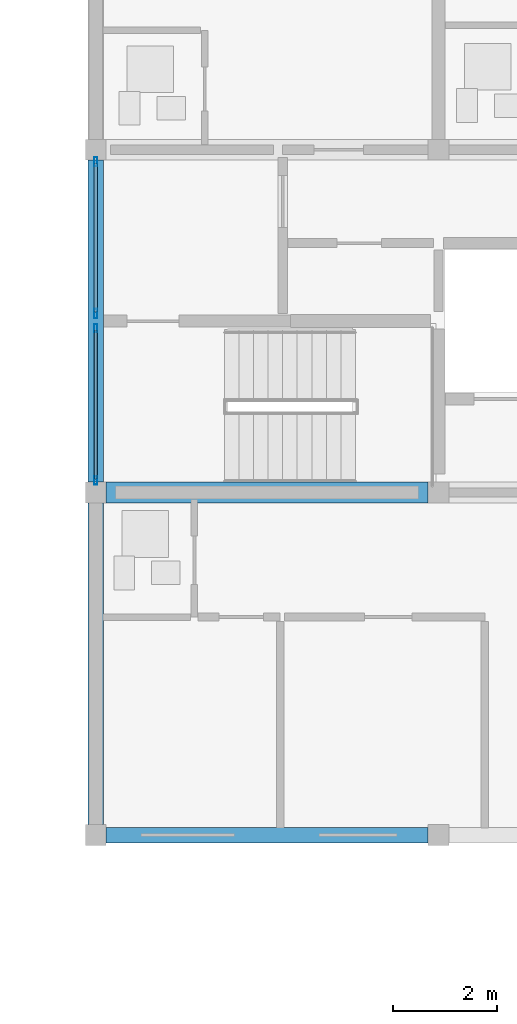
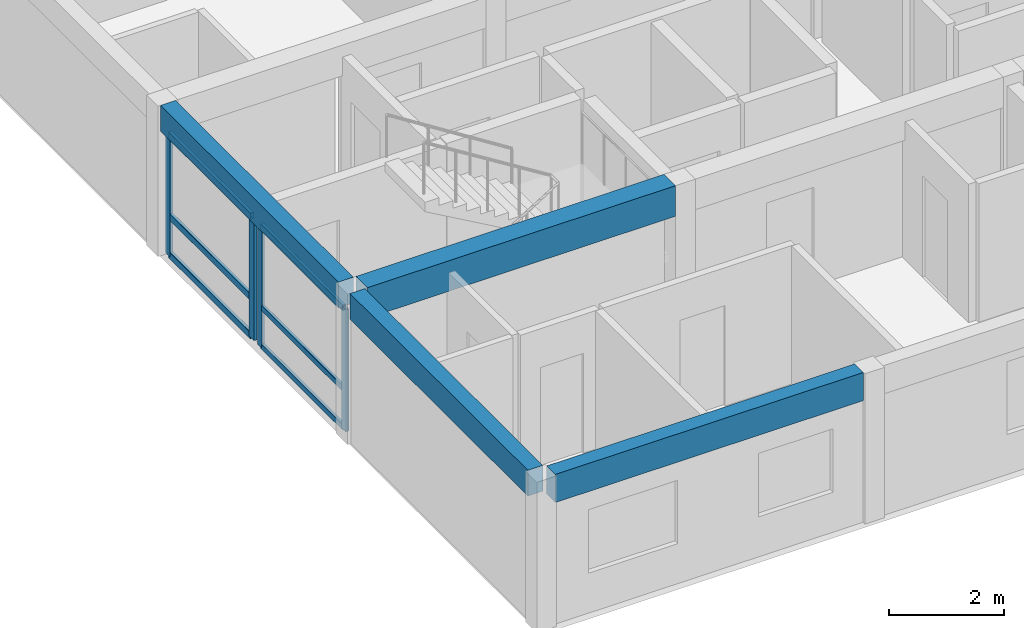
# One storey, part 13 of 34: 10 members, 4 beams, 2 elements without a shape of their own.
"""IFC4 building model written with IfcOpenShell, lengths in metres."""

from ifc_helpers import new_model, si_unit, direction, frame, origin, origin_2d, place, context, subcontext, project, spatial, rectangle, hollow_rectangle, extrude, material, material_profile, profile_set, type_object, element, aggregate, save


model = new_model("IFC4")

# Units and contexts
model_context = context("Model", 3, precision=1e-05, world=origin(), true_north=direction((0.0, 1.0)))
body_context = subcontext(model_context, "Body", "Model", "MODEL_VIEW")
ifc_project = project(units=[si_unit("LENGTHUNIT", "METRE"), si_unit("AREAUNIT", "SQUARE_METRE"), si_unit("VOLUMEUNIT", "CUBIC_METRE"), si_unit("PLANEANGLEUNIT", "RADIAN"), si_unit("MASSUNIT", "GRAM", prefix="KILO")], contexts=[model_context])

# Site, building, storey
site_placement = place(None, origin())
site = spatial("IfcSite", under=ifc_project, at=site_placement, CompositionType="ELEMENT")
building_placement = place(site_placement, origin())
building = spatial("IfcBuilding", under=site, at=building_placement, Name="Kernevlak Ridge Housing Community", CompositionType="ELEMENT")
storey_placement = place(building_placement, frame((0.0, 0.0, 40.39990234375)))
storey = spatial("IfcBuildingStorey", under=building, at=storey_placement, Name="L12", CompositionType="ELEMENT", Elevation=40.39990234375)

# Beam
ifc_material_1 = material(Name="Concrete C35/45", Category="concrete")
ifc_material_profile_1 = material_profile(ifc_material_1, rectangle(XDim=0.39990234375, YDim=0.64990234375, at=origin_2d()), Name="RC 400x650")
ifc_profile_set_1 = profile_set([ifc_material_profile_1], Name="Concrete C35/45")
beam_type_1 = type_object("IfcBeamType", Name="B-03", PredefinedType="T_BEAM", material=ifc_profile_set_1)
beam_1_placement = place(storey_placement, frame((119.60009765625, 89.199951171875, 2.875), z_axis=(1.0, 0.0, 0.0), x_axis=(0.0, 1.0, 0.0)))
element("IfcBeam", 1, at=beam_1_placement, inside=storey, type_object=beam_type_1, Name="Beam B-03 L12 894", PredefinedType="T_BEAM", context=body_context, shape_type="SweptSolid", body=[
    extrude(rectangle(XDim=0.39990234375, YDim=0.64990234375, at=origin_2d()), origin(), (0.0, 0.0, 1.0), 6.199951171875),
])

# Curtain wall, members
ifc_material_2 = material(Name="Aluminium EN AW-6060 anodised and laminated glass", Category="aluminium")
curtain_wall_type_1 = type_object("IfcCurtainWallType", Name="CW-04", PredefinedType="NOTDEFINED", material=ifc_material_2)
curtain_wall_1_placement = place(storey_placement, origin())
curtain_wall_1 = element("IfcCurtainWall", 2, at=curtain_wall_1_placement, inside=storey, type_object=curtain_wall_type_1, Name="Curtain wall CW-04 CW-L12-091", PredefinedType="NOTDEFINED")
ifc_material_3 = material(Name="Aluminium EN AW-6060 anodised", Category="aluminium")
ifc_material_profile_2 = material_profile(ifc_material_3, hollow_rectangle(XDim=0.06005859375, YDim=0.159912109375, WallThickness=0.00390625, InnerFilletRadius=0.001953125, OuterFilletRadius=0.00390625, at=origin_2d()), Name="ALU 60x160x4")
ifc_profile_set_2 = profile_set([ifc_material_profile_2], Name="Aluminium EN AW-6060 anodised")
member_type_1 = type_object("IfcMemberType", Name="MU-02", PredefinedType="MULLION", material=ifc_profile_set_2)
member_1_placement = place(storey_placement, frame((119.39990234375, 89.429931640625, 0.0), z_axis=(0.0, 0.0, 1.0), x_axis=(-1.0, 0.0, 0.0)))
member_1 = element("IfcMember", 3, at=member_1_placement, type_object=member_type_1, Name="CW-04 mullion 1", PredefinedType="MULLION", context=body_context, shape_type="SweptSolid", body=[
    extrude(hollow_rectangle(XDim=0.06005859375, YDim=0.159912109375, WallThickness=0.00390625, InnerFilletRadius=0.001953125, OuterFilletRadius=0.00390625, at=origin_2d()), origin(), (0.0, 0.0, 1.0), 2.60009765625),
])
member_2_placement = place(storey_placement, frame((119.39990234375, 92.360107421875, 0.0), z_axis=(0.0, 0.0, 1.0), x_axis=(-1.0, 0.0, 0.0)))
member_2 = element("IfcMember", 4, at=member_2_placement, type_object=member_type_1, Name="CW-04 mullion 2", PredefinedType="MULLION", context=body_context, shape_type="SweptSolid", body=[
    extrude(hollow_rectangle(XDim=0.06005859375, YDim=0.159912109375, WallThickness=0.00390625, InnerFilletRadius=0.001953125, OuterFilletRadius=0.00390625, at=origin_2d()), origin(), (0.0, 0.0, 1.0), 2.60009765625),
])

curtain_wall_type_2 = type_object("IfcCurtainWallType", Name="CW-10", PredefinedType="NOTDEFINED", material=ifc_material_2)
curtain_wall_2_placement = place(storey_placement, origin())
curtain_wall_2 = element("IfcCurtainWall", 5, at=curtain_wall_2_placement, inside=storey, type_object=curtain_wall_type_2, Name="Curtain wall CW-10 CW-L12-092", PredefinedType="NOTDEFINED")
ifc_material_profile_3 = material_profile(ifc_material_3, hollow_rectangle(XDim=0.06494140625, YDim=0.179931640625, WallThickness=0.00439453125, InnerFilletRadius=0.001953125, OuterFilletRadius=0.00439453125, at=origin_2d()), Name="ALU 65x180x4.5")
ifc_profile_set_3 = profile_set([ifc_material_profile_3], Name="Aluminium EN AW-6060 anodised")
member_type_2 = type_object("IfcMemberType", Name="MU-03", PredefinedType="MULLION", material=ifc_profile_set_3)
member_3_placement = place(storey_placement, frame((119.39990234375, 92.642578125, 0.0), z_axis=(0.0, 0.0, 1.0), x_axis=(-1.0, 0.0, 0.0)))
member_3 = element("IfcMember", 6, at=member_3_placement, type_object=member_type_2, Name="CW-10 mullion 1", PredefinedType="MULLION", context=body_context, shape_type="SweptSolid", body=[
    extrude(hollow_rectangle(XDim=0.06494140625, YDim=0.179931640625, WallThickness=0.00439453125, InnerFilletRadius=0.001953125, OuterFilletRadius=0.00439453125, at=origin_2d()), origin(), (0.0, 0.0, 1.0), 2.60009765625),
])
member_4_placement = place(storey_placement, frame((119.39990234375, 95.5673828125, 0.0), z_axis=(0.0, 0.0, 1.0), x_axis=(-1.0, 0.0, 0.0)))
member_4 = element("IfcMember", 7, at=member_4_placement, type_object=member_type_2, Name="CW-10 mullion 2", PredefinedType="MULLION", context=body_context, shape_type="SweptSolid", body=[
    extrude(hollow_rectangle(XDim=0.06494140625, YDim=0.179931640625, WallThickness=0.00439453125, InnerFilletRadius=0.001953125, OuterFilletRadius=0.00439453125, at=origin_2d()), origin(), (0.0, 0.0, 1.0), 2.60009765625),
])

# Beams
ifc_material_profile_4 = material_profile(ifc_material_1, rectangle(XDim=0.300048828125, YDim=0.550048828125, at=origin_2d()), Name="RC 300x550")
ifc_profile_set_4 = profile_set([ifc_material_profile_4], Name="Concrete C35/45")
beam_type_2 = type_object("IfcBeamType", Name="SP-01", PredefinedType="SPANDREL", material=ifc_profile_set_4)
beam_2_placement = place(storey_placement, frame((119.39990234375, 82.800048828125, 2.925048828125), z_axis=(0.0, 1.0, 0.0), x_axis=(-1.0, 0.0, 0.0)))
element("IfcBeam", 8, at=beam_2_placement, inside=storey, type_object=beam_type_2, Name="Beam SP-01 L12 909", PredefinedType="SPANDREL", context=body_context, shape_type="SweptSolid", body=[
    extrude(rectangle(XDim=0.300048828125, YDim=0.550048828125, at=origin_2d()), origin(), (0.0, 0.0, 1.0), 6.199951171875),
])
beam_3_placement = place(storey_placement, frame((119.39990234375, 89.39990234375, 2.925048828125), z_axis=(0.0, 1.0, 0.0), x_axis=(-1.0, 0.0, 0.0)))
element("IfcBeam", 9, at=beam_3_placement, inside=storey, type_object=beam_type_2, Name="Beam SP-01 L12 910", PredefinedType="SPANDREL", context=body_context, shape_type="SweptSolid", body=[
    extrude(rectangle(XDim=0.300048828125, YDim=0.550048828125, at=origin_2d()), origin(), (0.0, 0.0, 1.0), 6.2001953125),
])
ifc_material_profile_5 = material_profile(ifc_material_1, rectangle(XDim=0.300048828125, YDim=0.60009765625, at=origin_2d()), Name="RC 300x600")
ifc_profile_set_5 = profile_set([ifc_material_profile_5], Name="Concrete C35/45")
beam_type_3 = type_object("IfcBeamType", Name="SP-02", PredefinedType="SPANDREL", material=ifc_profile_set_5)
beam_4_placement = place(storey_placement, frame((119.60009765625, 82.60009765625, 2.900146484375), z_axis=(1.0, 0.0, 0.0), x_axis=(0.0, 1.0, 0.0)))
element("IfcBeam", 10, at=beam_4_placement, inside=storey, type_object=beam_type_3, Name="Beam SP-02 L12 889", PredefinedType="SPANDREL", context=body_context, shape_type="SweptSolid", body=[
    extrude(rectangle(XDim=0.300048828125, YDim=0.60009765625, at=origin_2d()), origin(), (0.0, 0.0, 1.0), 6.199951171875),
])

# Member
ifc_material_profile_6 = material_profile(ifc_material_3, hollow_rectangle(XDim=0.06005859375, YDim=0.1201171875, WallThickness=0.00390625, InnerFilletRadius=0.001953125, OuterFilletRadius=0.00390625, at=origin_2d()), Name="ALU 60x120x4")
ifc_profile_set_6 = profile_set([ifc_material_profile_6], Name="Aluminium EN AW-6060 anodised")
member_type_3 = type_object("IfcMemberType", Name="TM-02", PredefinedType="USERDEFINED", material=ifc_profile_set_6)
member_5_placement = place(storey_placement, frame((119.39990234375, 89.4599609375, 0.030029296875), z_axis=(0.0, 1.0, 0.0), x_axis=(-1.0, 0.0, 0.0)))
member_5 = element("IfcMember", 11, at=member_5_placement, type_object=member_type_3, Name="CW-04 transom 1.1", ObjectType="TRANSOM", PredefinedType="USERDEFINED", context=body_context, shape_type="SweptSolid", body=[
    extrude(hollow_rectangle(XDim=0.06005859375, YDim=0.1201171875, WallThickness=0.00390625, InnerFilletRadius=0.001953125, OuterFilletRadius=0.00390625, at=origin_2d()), origin(), (0.0, 0.0, 1.0), 2.8701171875),
])

member_6_placement = place(storey_placement, frame((119.39990234375, 89.4599609375, 0.85009765625), z_axis=(0.0, 1.0, 0.0), x_axis=(-1.0, 0.0, 0.0)))
member_6 = element("IfcMember", 12, at=member_6_placement, type_object=member_type_3, Name="CW-04 transom 1.2", ObjectType="TRANSOM", PredefinedType="USERDEFINED", context=body_context, shape_type="SweptSolid", body=[
    extrude(hollow_rectangle(XDim=0.06005859375, YDim=0.1201171875, WallThickness=0.00390625, InnerFilletRadius=0.001953125, OuterFilletRadius=0.00390625, at=origin_2d()), origin(), (0.0, 0.0, 1.0), 2.8701171875),
])

member_7_placement = place(storey_placement, frame((119.39990234375, 89.4599609375, 2.570068359375), z_axis=(0.0, 1.0, 0.0), x_axis=(-1.0, 0.0, 0.0)))
member_7 = element("IfcMember", 13, at=member_7_placement, type_object=member_type_3, Name="CW-04 transom 1.3", ObjectType="TRANSOM", PredefinedType="USERDEFINED", context=body_context, shape_type="SweptSolid", body=[
    extrude(hollow_rectangle(XDim=0.06005859375, YDim=0.1201171875, WallThickness=0.00390625, InnerFilletRadius=0.001953125, OuterFilletRadius=0.00390625, at=origin_2d()), origin(), (0.0, 0.0, 1.0), 2.8701171875),
])

aggregate(curtain_wall_1, [member_1, member_2, member_5, member_6, member_7])

ifc_material_profile_7 = material_profile(ifc_material_3, hollow_rectangle(XDim=0.06494140625, YDim=0.139892578125, WallThickness=0.00390625, InnerFilletRadius=0.001953125, OuterFilletRadius=0.00390625, at=origin_2d()), Name="ALU 65x140x4")
ifc_profile_set_7 = profile_set([ifc_material_profile_7], Name="Aluminium EN AW-6060 anodised")
member_type_4 = type_object("IfcMemberType", Name="TM-03", PredefinedType="USERDEFINED", material=ifc_profile_set_7)
member_8_placement = place(storey_placement, frame((119.39990234375, 92.675048828125, 0.03271484375), z_axis=(0.0, 1.0, 0.0), x_axis=(-1.0, 0.0, 0.0)))
member_8 = element("IfcMember", 14, at=member_8_placement, type_object=member_type_4, Name="CW-10 transom 1.1", ObjectType="TRANSOM", PredefinedType="USERDEFINED", context=body_context, shape_type="SweptSolid", body=[
    extrude(hollow_rectangle(XDim=0.06494140625, YDim=0.139892578125, WallThickness=0.00390625, InnerFilletRadius=0.001953125, OuterFilletRadius=0.00390625, at=origin_2d()), origin(), (0.0, 0.0, 1.0), 2.85986328125),
])

member_9_placement = place(storey_placement, frame((119.39990234375, 92.675048828125, 0.85009765625), z_axis=(0.0, 1.0, 0.0), x_axis=(-1.0, 0.0, 0.0)))
member_9 = element("IfcMember", 15, at=member_9_placement, type_object=member_type_4, Name="CW-10 transom 1.2", ObjectType="TRANSOM", PredefinedType="USERDEFINED", context=body_context, shape_type="SweptSolid", body=[
    extrude(hollow_rectangle(XDim=0.06494140625, YDim=0.139892578125, WallThickness=0.00390625, InnerFilletRadius=0.001953125, OuterFilletRadius=0.00390625, at=origin_2d()), origin(), (0.0, 0.0, 1.0), 2.85986328125),
])

member_10_placement = place(storey_placement, frame((119.39990234375, 92.675048828125, 2.567626953125), z_axis=(0.0, 1.0, 0.0), x_axis=(-1.0, 0.0, 0.0)))
member_10 = element("IfcMember", 16, at=member_10_placement, type_object=member_type_4, Name="CW-10 transom 1.3", ObjectType="TRANSOM", PredefinedType="USERDEFINED", context=body_context, shape_type="SweptSolid", body=[
    extrude(hollow_rectangle(XDim=0.06494140625, YDim=0.139892578125, WallThickness=0.00390625, InnerFilletRadius=0.001953125, OuterFilletRadius=0.00390625, at=origin_2d()), origin(), (0.0, 0.0, 1.0), 2.85986328125),
])

aggregate(curtain_wall_2, [member_3, member_4, member_8, member_9, member_10])

save(model, "model.ifc")
